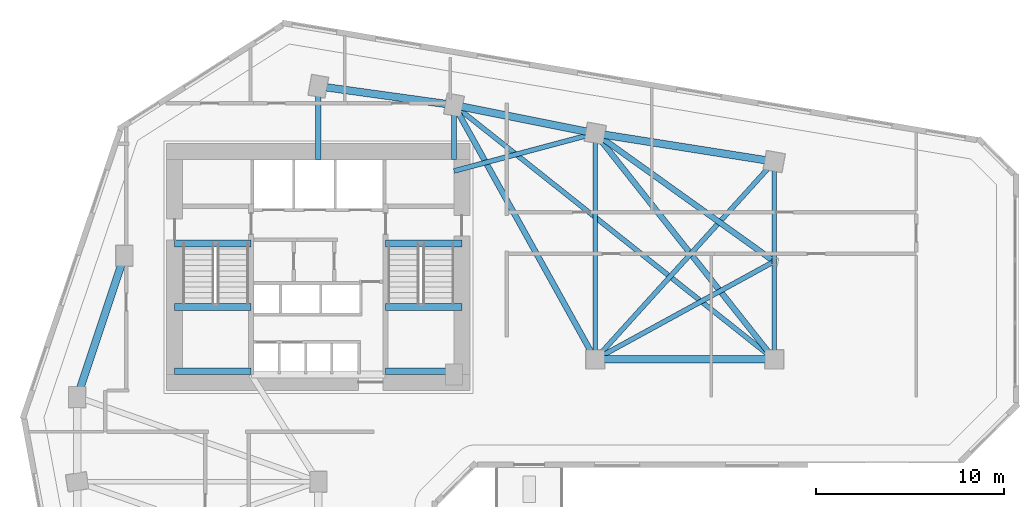
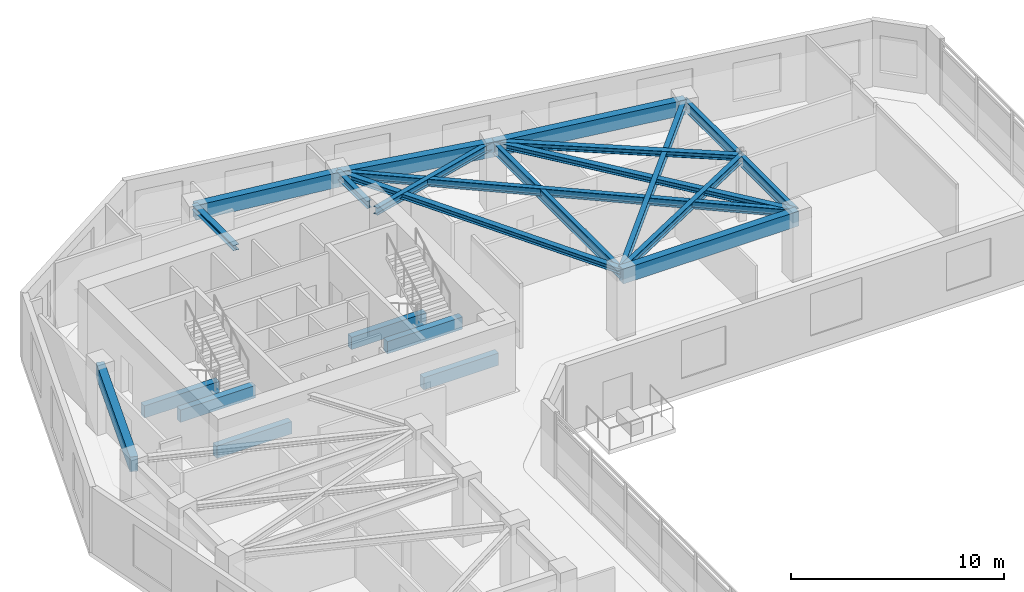
# One storey, part 4 of 11: 22 beams.
"""IFC4 building model written with IfcOpenShell, lengths in metres."""

from ifc_helpers import new_model, si_unit, direction, frame, origin, origin_2d, place, context, subcontext, project, spatial, rectangle, i_section, extrude, source, transform, mapped, material, material_profile, profile_set, type_object, element, save


model = new_model("IFC4")

# Units and contexts
model_context = context("Model", 3, precision=1e-05, world=origin(), true_north=direction((0.0, 1.0)))
body_context = subcontext(model_context, "Body", "Model", "MODEL_VIEW")
ifc_project = project(units=[si_unit("LENGTHUNIT", "METRE"), si_unit("AREAUNIT", "SQUARE_METRE"), si_unit("VOLUMEUNIT", "CUBIC_METRE"), si_unit("PLANEANGLEUNIT", "RADIAN"), si_unit("MASSUNIT", "GRAM", prefix="KILO")], contexts=[model_context])

# Site, building, storey
site_placement = place(None, origin())
site = spatial("IfcSite", under=ifc_project, at=site_placement, CompositionType="ELEMENT")
building_placement = place(site_placement, origin())
building = spatial("IfcBuilding", under=site, at=building_placement, Name="Calvemar Wedge Station Tower", CompositionType="ELEMENT")
storey_placement = place(building_placement, frame((0.0, 0.0, 47.0)))
storey = spatial("IfcBuildingStorey", under=building, at=storey_placement, Name="L11", CompositionType="ELEMENT", Elevation=47.0)

# Beams
ifc_material_1 = material(Name="Concrete C70", Category="concrete")
ifc_material_profile_1 = material_profile(ifc_material_1, rectangle(XDim=0.35009765625, YDim=0.699951171875, at=origin_2d()), Name="RC350x700")
ifc_profile_set_1 = profile_set([ifc_material_profile_1], Name="Concrete C70")
beam_type_1 = type_object("IfcBeamType", Name="BM-LN1-700", PredefinedType="LINTEL", material=ifc_profile_set_1)
shared_shape_1 = source(origin(), body_context, "Body", "SweptSolid", [
    extrude(rectangle(XDim=0.35009765625, YDim=0.699951171875, at=origin_2d()), origin(), (0.0, 0.0, 1.0), 4.054931640625),
])
for number, where, z_axis, x_axis, name in (
    (1, (16.175048828125, 41.14990234375, -0.35009765625), (1.0, 0.0, 0.0), (0.0, 1.0, 0.0), "Storey L11 Stair ST-C1 Landing Trimmer Beam"),
    (2, (27.3701171875, 41.14990234375, -0.35009765625), (1.0, 0.0, 0.0), (0.0, 1.0, 0.0), "Storey L11 Stair ST-C2 Landing Trimmer Beam"),
    (3, (16.175048828125, 34.3798828125, 1.449951171875), (1.0, 0.0, 0.0), (0.0, 1.0, 0.0), "Storey L11 Stair ST-C1 Half-Landing Beam 1A"),
    (4, (16.175048828125, 37.780029296875, 1.449951171875), (1.0, 0.0, 0.0), (0.0, 1.0, 0.0), "Storey L11 Stair ST-C1 Half-Landing Beam 1B"),
    (5, (27.3701171875, 34.3798828125, 1.449951171875), (1.0, 0.0, 0.0), (0.0, 1.0, 0.0), "Storey L11 Stair ST-C2 Half-Landing Beam 1A"),
    (6, (27.3701171875, 37.780029296875, 1.449951171875), (1.0, 0.0, 0.0), (0.0, 1.0, 0.0), "Storey L11 Stair ST-C2 Half-Landing Beam 1B"),
):
    element("IfcBeam", number, at=place(storey_placement, frame(where, z_axis=z_axis, x_axis=x_axis)), inside=storey, type_object=beam_type_1, Name=name, PredefinedType="LINTEL", context=body_context, shape_type="MappedRepresentation", body=[
        mapped(shared_shape_1, transform((0.0, 0.0, 0.0), scale=1.0)),
    ])
ifc_material_2 = material(Name="Concrete C60", Category="concrete")
ifc_material_profile_2 = material_profile(ifc_material_2, rectangle(XDim=0.39990234375, YDim=0.85009765625, at=origin_2d()), Name="RC400x850")
ifc_profile_set_2 = profile_set([ifc_material_profile_2], Name="Concrete C60")
beam_type_2 = type_object("IfcBeamType", Name="BM-SP1-850", PredefinedType="SPANDREL", material=ifc_profile_set_2)
shared_shape_2 = source(origin(), body_context, "Body", "SweptSolid", [
    extrude(rectangle(XDim=0.39990234375, YDim=0.85009765625, at=origin_2d()), origin(), (0.0, 0.0, 1.0), 7.90576171875),
])
beam_1_placement = place(storey_placement, frame((11.0, 33.0, 3.324951171875), z_axis=(0.316227766017, 0.948683298051, 0.0), x_axis=(-0.948683298051, 0.316227766017, 0.0)))
element("IfcBeam", 7, at=beam_1_placement, inside=storey, type_object=beam_type_2, Name="Storey L11 Spandrel T-NW1-T-NW2", PredefinedType="SPANDREL", context=body_context, shape_type="MappedRepresentation", body=[
    mapped(shared_shape_2, transform((0.0, 0.0, 0.0), scale=1.0)),
])
shared_shape_3 = source(origin(), body_context, "Body", "SweptSolid", [
    extrude(rectangle(XDim=0.39990234375, YDim=0.85009765625, at=origin_2d()), origin(), (0.0, 0.0, 1.0), 7.26904296875),
])
beam_2_placement = place(storey_placement, frame((23.800048828125, 49.5, 3.324951171875), z_axis=(0.990492146053, -0.13756928657, 0.0), x_axis=(0.13756928657, 0.990492146053, 0.0)))
element("IfcBeam", 8, at=beam_2_placement, inside=storey, type_object=beam_type_2, Name="Storey L11 Spandrel T-N1-T-N2", PredefinedType="SPANDREL", context=body_context, shape_type="MappedRepresentation", body=[
    mapped(shared_shape_3, transform((0.0, 0.0, 0.0), scale=1.0)),
])
shared_shape_4 = source(origin(), body_context, "Body", "SweptSolid", [
    extrude(rectangle(XDim=0.39990234375, YDim=0.85009765625, at=origin_2d()), origin(), (0.0, 0.0, 1.0), 7.6484375),
])
beam_3_placement = place(storey_placement, frame((31.0, 48.5, 3.324951171875), z_axis=(0.980580675691, -0.196116135138, 0.0), x_axis=(0.196116135138, 0.980580675691, 0.0)))
element("IfcBeam", 9, at=beam_3_placement, inside=storey, type_object=beam_type_2, Name="Storey L11 Spandrel T-N2-T-NU3", PredefinedType="SPANDREL", context=body_context, shape_type="MappedRepresentation", body=[
    mapped(shared_shape_4, transform((0.0, 0.0, 0.0), scale=1.0)),
])
shared_shape_5 = source(origin(), body_context, "Body", "SweptSolid", [
    extrude(rectangle(XDim=0.39990234375, YDim=0.85009765625, at=origin_2d()), origin(), (0.0, 0.0, 1.0), 9.61767578125),
])
beam_4_placement = place(storey_placement, frame((38.5, 47.0, 3.324951171875), z_axis=(0.987762965329, -0.155962573473, 0.0), x_axis=(0.155962573473, 0.987762965329, 0.0)))
element("IfcBeam", 10, at=beam_4_placement, inside=storey, type_object=beam_type_2, Name="Storey L11 Spandrel T-NU3-T-NU4", PredefinedType="SPANDREL", context=body_context, shape_type="MappedRepresentation", body=[
    mapped(shared_shape_5, transform((0.0, 0.0, 0.0), scale=1.0)),
])
shared_shape_6 = source(origin(), body_context, "Body", "SweptSolid", [
    extrude(rectangle(XDim=0.39990234375, YDim=0.85009765625, at=origin_2d()), origin(), (0.0, 0.0, 1.0), 9.5),
])
beam_5_placement = place(storey_placement, frame((38.5, 35.0, 3.324951171875), z_axis=(1.0, 0.0, 0.0), x_axis=(0.0, 1.0, 0.0)))
element("IfcBeam", 11, at=beam_5_placement, inside=storey, type_object=beam_type_2, Name="Storey L11 Spandrel T-NL2-T-NL3", PredefinedType="SPANDREL", context=body_context, shape_type="MappedRepresentation", body=[
    mapped(shared_shape_6, transform((0.0, 0.0, 0.0), scale=1.0)),
])
ifc_material_3 = material(Name="Structural steel ASTM A572 Grade 50", Category="steel")
ifc_material_profile_3 = material_profile(ifc_material_3, i_section(OverallWidth=0.22998046875, OverallDepth=0.616943359375, WebThickness=0.01318359375, FlangeThickness=0.022216796875, FilletRadius=0.012939453125, at=origin_2d()), Name="W610x140")
ifc_profile_set_3 = profile_set([ifc_material_profile_3], Name="Structural steel ASTM A572 Grade 50")
beam_type_3 = type_object("IfcBeamType", Name="BM-SB2-W610", PredefinedType="BEAM", material=ifc_profile_set_3)
shared_shape_7 = source(origin(), body_context, "Body", "SweptSolid", [
    extrude(i_section(OverallWidth=0.22998046875, OverallDepth=0.616943359375, WebThickness=0.01318359375, FlangeThickness=0.022216796875, FilletRadius=0.012939453125, at=origin_2d()), origin(), (0.0, 0.0, 1.0), 12.0),
])
beam_6_placement = place(storey_placement, frame((38.5, 47.0, 3.44140625), z_axis=(0.0, -1.0, 0.0), x_axis=(1.0, 0.0, 0.0)))
element("IfcBeam", 12, at=beam_6_placement, inside=storey, type_object=beam_type_3, Name="Storey L11 Floor Beam T-NU3-T-NL2", PredefinedType="BEAM", context=body_context, shape_type="MappedRepresentation", body=[
    mapped(shared_shape_7, transform((0.0, 0.0, 0.0), scale=1.0)),
])
shared_shape_8 = source(origin(), body_context, "Body", "SweptSolid", [
    extrude(i_section(OverallWidth=0.22998046875, OverallDepth=0.616943359375, WebThickness=0.01318359375, FlangeThickness=0.022216796875, FilletRadius=0.012939453125, at=origin_2d()), origin(), (0.0, 0.0, 1.0), 10.5),
])
beam_7_placement = place(storey_placement, frame((48.0, 45.5, 3.44140625), z_axis=(0.0, -1.0, 0.0), x_axis=(1.0, 0.0, 0.0)))
element("IfcBeam", 13, at=beam_7_placement, inside=storey, type_object=beam_type_3, Name="Storey L11 Floor Beam T-NU4-T-NL3", PredefinedType="BEAM", context=body_context, shape_type="MappedRepresentation", body=[
    mapped(shared_shape_8, transform((0.0, 0.0, 0.0), scale=1.0)),
])
ifc_material_profile_4 = material_profile(ifc_material_3, i_section(OverallWidth=0.304931640625, OverallDepth=0.30810546875, WebThickness=0.010009765625, FlangeThickness=0.015380859375, FilletRadius=0.014892578125, at=origin_2d()), Name="W310x97")
ifc_profile_set_4 = profile_set([ifc_material_profile_4], Name="Structural steel ASTM A572 Grade 50")
beam_type_4 = type_object("IfcBeamType", Name="BM-J6-W310", PredefinedType="JOIST", material=ifc_profile_set_4)
shared_shape_9 = source(origin(), body_context, "Body", "SweptSolid", [
    extrude(i_section(OverallWidth=0.304931640625, OverallDepth=0.30810546875, WebThickness=0.010009765625, FlangeThickness=0.015380859375, FilletRadius=0.014892578125, at=origin_2d()), origin(), (0.0, 0.0, 1.0), 15.443359375),
])
beam_8_placement = place(storey_placement, frame((31.0, 48.5, 3.595947265625), z_axis=(0.485642931179, -0.874157276122, 0.0), x_axis=(0.874157276122, 0.485642931179, 0.0)))
element("IfcBeam", 14, at=beam_8_placement, inside=storey, type_object=beam_type_4, Name="Storey L11 Floor Beam T-N2-T-NL2", PredefinedType="JOIST", context=body_context, shape_type="MappedRepresentation", body=[
    mapped(shared_shape_9, transform((0.0, 0.0, 0.0), scale=1.0)),
])
ifc_material_profile_5 = material_profile(ifc_material_3, i_section(OverallWidth=0.260986328125, OverallDepth=0.419921875, WebThickness=0.01171875, FlangeThickness=0.019287109375, FilletRadius=0.012939453125, at=origin_2d()), Name="W410x114")
ifc_profile_set_5 = profile_set([ifc_material_profile_5], Name="Structural steel ASTM A572 Grade 50")
beam_type_5 = type_object("IfcBeamType", Name="BM-J2-W410H", PredefinedType="JOIST", material=ifc_profile_set_5)
shared_shape_10 = source(origin(), body_context, "Body", "SweptSolid", [
    extrude(i_section(OverallWidth=0.260986328125, OverallDepth=0.419921875, WebThickness=0.01171875, FlangeThickness=0.019287109375, FilletRadius=0.012939453125, at=origin_2d()), origin(), (0.0, 0.0, 1.0), 21.708251953125),
])
beam_9_placement = place(storey_placement, frame((31.0, 48.5, 3.5400390625), z_axis=(0.783110847498, -0.621882143602, 0.0), x_axis=(0.621882143602, 0.783110847498, 0.0)))
element("IfcBeam", 15, at=beam_9_placement, inside=storey, type_object=beam_type_5, Name="Storey L11 Floor Beam T-N2-T-NL3", PredefinedType="JOIST", context=body_context, shape_type="MappedRepresentation", body=[
    mapped(shared_shape_10, transform((0.0, 0.0, 0.0), scale=1.0)),
])
shared_shape_11 = source(origin(), body_context, "Body", "SweptSolid", [
    extrude(i_section(OverallWidth=0.304931640625, OverallDepth=0.30810546875, WebThickness=0.010009765625, FlangeThickness=0.015380859375, FilletRadius=0.014892578125, at=origin_2d()), origin(), (0.0, 0.0, 1.0), 15.30517578125),
])
beam_10_placement = place(storey_placement, frame((38.5, 47.0, 3.595947265625), z_axis=(0.620702944366, -0.784045824462, 0.0), x_axis=(0.784045824462, 0.620702944366, 0.0)))
element("IfcBeam", 16, at=beam_10_placement, inside=storey, type_object=beam_type_4, Name="Storey L11 Floor Beam T-NU3-T-NL3", PredefinedType="JOIST", context=body_context, shape_type="MappedRepresentation", body=[
    mapped(shared_shape_11, transform((0.0, 0.0, 0.0), scale=1.0)),
])
shared_shape_12 = source(origin(), body_context, "Body", "SweptSolid", [
    extrude(i_section(OverallWidth=0.260986328125, OverallDepth=0.419921875, WebThickness=0.01171875, FlangeThickness=0.019287109375, FilletRadius=0.012939453125, at=origin_2d()), origin(), (0.0, 0.0, 1.0), 14.159912109375),
])
beam_11_placement = place(storey_placement, frame((38.5, 35.0, 3.5400390625), z_axis=(0.670913323969, 0.741535779124, 0.0), x_axis=(-0.741535779124, 0.670913323969, 0.0)))
element("IfcBeam", 17, at=beam_11_placement, inside=storey, type_object=beam_type_5, Name="Storey L11 Floor Beam T-NL2-T-NU4", PredefinedType="JOIST", context=body_context, shape_type="MappedRepresentation", body=[
    mapped(shared_shape_12, transform((0.0, 0.0, 0.0), scale=1.0)),
])
shared_shape_13 = source(origin(), body_context, "Body", "SweptSolid", [
    extrude(i_section(OverallWidth=0.304931640625, OverallDepth=0.30810546875, WebThickness=0.010009765625, FlangeThickness=0.015380859375, FilletRadius=0.014892578125, at=origin_2d()), origin(), (0.0, 0.0, 1.0), 11.682861328125),
])
beam_12_placement = place(storey_placement, frame((48.0, 40.199951171875, 3.595947265625), z_axis=(-0.81315274409, 0.582050354161, 0.0), x_axis=(-0.582050354161, -0.81315274409, 0.0)))
element("IfcBeam", 18, at=beam_12_placement, inside=storey, type_object=beam_type_4, Name="Storey L11 Floor Beam T-NTIP-A-T-NU3", PredefinedType="JOIST", context=body_context, shape_type="MappedRepresentation", body=[
    mapped(shared_shape_13, transform((0.0, 0.0, 0.0), scale=1.0)),
])
shared_shape_14 = source(origin(), body_context, "Body", "SweptSolid", [
    extrude(i_section(OverallWidth=0.260986328125, OverallDepth=0.419921875, WebThickness=0.01171875, FlangeThickness=0.019287109375, FilletRadius=0.012939453125, at=origin_2d()), origin(), (0.0, 0.0, 1.0), 10.830078125),
])
beam_13_placement = place(storey_placement, frame((48.0, 40.199951171875, 3.5400390625), z_axis=(-0.877190767997, -0.480142017053, 0.0), x_axis=(0.480142017053, -0.877190767997, 0.0)))
element("IfcBeam", 19, at=beam_13_placement, inside=storey, type_object=beam_type_5, Name="Storey L11 Floor Beam T-NTIP-A-T-NL2", PredefinedType="JOIST", context=body_context, shape_type="MappedRepresentation", body=[
    mapped(shared_shape_14, transform((0.0, 0.0, 0.0), scale=1.0)),
])
shared_shape_15 = source(origin(), body_context, "Body", "SweptSolid", [
    extrude(i_section(OverallWidth=0.260986328125, OverallDepth=0.419921875, WebThickness=0.01171875, FlangeThickness=0.019287109375, FilletRadius=0.012939453125, at=origin_2d()), origin(), (0.0, 0.0, 1.0), 7.76220703125),
])
beam_14_placement = place(storey_placement, frame((31.0, 45.0, 3.5400390625), z_axis=(0.966234939601, 0.25766265056, 0.0), x_axis=(-0.25766265056, 0.966234939601, 0.0)))
element("IfcBeam", 20, at=beam_14_placement, inside=storey, type_object=beam_type_5, Name="Storey L11 Core-to-Column Joist CJ-E2", PredefinedType="JOIST", context=body_context, shape_type="MappedRepresentation", body=[
    mapped(shared_shape_15, transform((0.0, 0.0, 0.0), scale=1.0)),
])
shared_shape_16 = source(origin(), body_context, "Body", "SweptSolid", [
    extrude(i_section(OverallWidth=0.304931640625, OverallDepth=0.30810546875, WebThickness=0.010009765625, FlangeThickness=0.015380859375, FilletRadius=0.014892578125, at=origin_2d()), origin(), (0.0, 0.0, 1.0), 3.89990234375),
])
beam_15_placement = place(storey_placement, frame((23.800048828125, 45.60009765625, 3.595947265625), z_axis=(0.0, 1.0, 0.0), x_axis=(-1.0, 0.0, 0.0)))
element("IfcBeam", 21, at=beam_15_placement, inside=storey, type_object=beam_type_4, Name="Storey L11 Core-to-Column Joist CJ-N1", PredefinedType="JOIST", context=body_context, shape_type="MappedRepresentation", body=[
    mapped(shared_shape_16, transform((0.0, 0.0, 0.0), scale=1.0)),
])
shared_shape_17 = source(origin(), body_context, "Body", "SweptSolid", [
    extrude(i_section(OverallWidth=0.260986328125, OverallDepth=0.419921875, WebThickness=0.01171875, FlangeThickness=0.019287109375, FilletRadius=0.012939453125, at=origin_2d()), origin(), (0.0, 0.0, 1.0), 2.89990234375),
])
beam_16_placement = place(storey_placement, frame((31.0, 45.60009765625, 3.5400390625), z_axis=(0.0, 1.0, 0.0), x_axis=(-1.0, 0.0, 0.0)))
element("IfcBeam", 22, at=beam_16_placement, inside=storey, type_object=beam_type_5, Name="Storey L11 Core-to-Column Joist CJ-N2", PredefinedType="JOIST", context=body_context, shape_type="MappedRepresentation", body=[
    mapped(shared_shape_17, transform((0.0, 0.0, 0.0), scale=1.0)),
])

save(model, "model.ifc")
